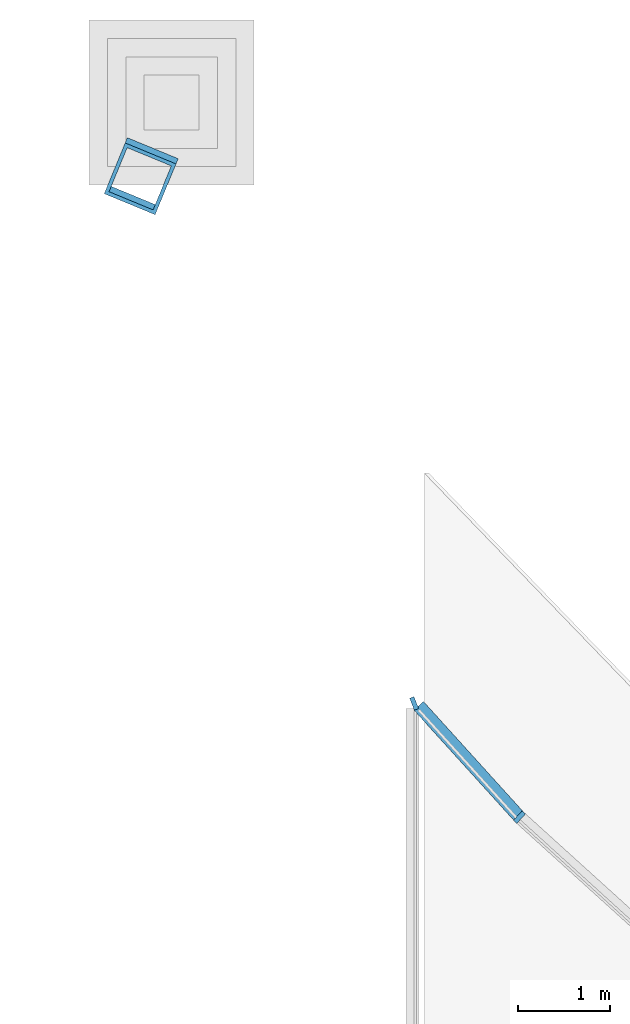
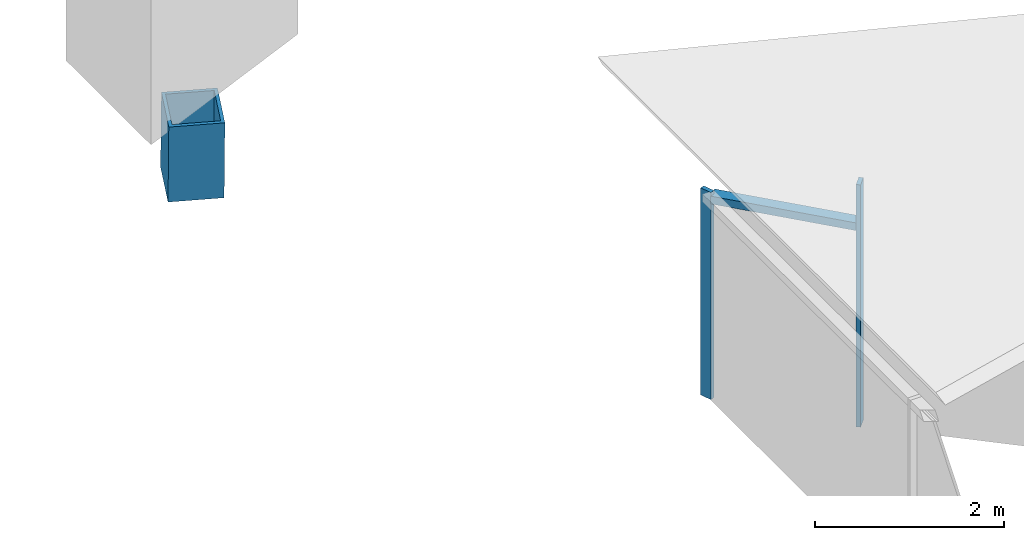
# One storey, part 4 of 8: 4 members, 2 elements without a shape of their own.
"""IFC4 building model written with IfcOpenShell, lengths in metres."""

from ifc_helpers import new_model, si_unit, direction, frame, origin, origin_2d, place, context, subcontext, project, spatial, rectangle, hollow_rectangle, extrude, material, material_profile, profile_set, type_object, element, aggregate, save


model = new_model("IFC4")

# Units and contexts
model_context = context("Model", 3, precision=1e-05, world=origin(), true_north=direction((0.0, 1.0)))
body_context = subcontext(model_context, "Body", "Model", "MODEL_VIEW")
ifc_project = project(units=[si_unit("LENGTHUNIT", "METRE"), si_unit("AREAUNIT", "SQUARE_METRE"), si_unit("VOLUMEUNIT", "CUBIC_METRE"), si_unit("PLANEANGLEUNIT", "RADIAN"), si_unit("MASSUNIT", "GRAM", prefix="KILO")], contexts=[model_context])

# Site, building, storey
site_placement = place(None, origin())
site = spatial("IfcSite", under=ifc_project, at=site_placement, CompositionType="ELEMENT")
building_placement = place(site_placement, origin())
building = spatial("IfcBuilding", under=site, at=building_placement, Name="Ogive Gate Towers", CompositionType="ELEMENT")
storey_placement = place(building_placement, frame((0.0, 0.0, 314.0)))
storey = spatial("IfcBuildingStorey", under=building, at=storey_placement, Name="L74", CompositionType="ELEMENT", Elevation=314.0)

# Curtain wall, member
ifc_material_1 = material(Name="Pale metal aluminium", Category="aluminium")
curtain_wall_type = type_object("IfcCurtainWallType", Name="Crown lean wall", PredefinedType="NOTDEFINED", material=ifc_material_1)
curtain_wall_1_placement = place(storey_placement, origin())
curtain_wall_1 = element("IfcCurtainWall", 1, at=curtain_wall_1_placement, inside=storey, type_object=curtain_wall_type, Name="CW5 T1 ECW01", PredefinedType="NOTDEFINED")
ifc_material_profile_1 = material_profile(ifc_material_1, rectangle(XDim=0.139892578125, YDim=0.050048828125, at=origin_2d()), Name="50 x 140 aluminium box")
ifc_profile_set_1 = profile_set([ifc_material_profile_1], Name="Pale metal aluminium")
member_type_1 = type_object("IfcMemberType", Name="Crown lean wall mullion 50 x 140", PredefinedType="MULLION", material=ifc_profile_set_1)
member_1_placement = place(storey_placement, frame((-24.008544921875, 11.99365234375, -0.300048828125), z_axis=(0.0, 0.0, 1.0), x_axis=(-0.671345548397, -0.741144489724, 0.0)))
member_1 = element("IfcMember", 2, at=member_1_placement, type_object=member_type_1, Name="CW5 mullion", PredefinedType="MULLION", context=body_context, shape_type="SweptSolid", body=[
    extrude(rectangle(XDim=0.139892578125, YDim=0.050048828125, at=origin_2d()), origin(), (0.0, 0.0, 1.0), 3.1357421875),
])
aggregate(curtain_wall_1, [member_1])

# Curtain wall, members
curtain_wall_2_placement = place(storey_placement, origin())
curtain_wall_2 = element("IfcCurtainWall", 3, at=curtain_wall_2_placement, inside=storey, type_object=curtain_wall_type, Name="CW5 T1 ECW02", PredefinedType="NOTDEFINED")
member_2_placement = place(storey_placement, frame((-25.157958984375, 13.234130859375, -0.300048828125), z_axis=(0.0, 0.0, 1.0), x_axis=(0.359785118413, -0.933035191495, 0.0)))
member_2 = element("IfcMember", 4, at=member_2_placement, type_object=member_type_1, Name="CW5 mullion", PredefinedType="MULLION", context=body_context, shape_type="SweptSolid", body=[
    extrude(rectangle(XDim=0.139892578125, YDim=0.050048828125, at=origin_2d()), origin(), (0.0, 0.0, 1.0), 2.679931640625),
])
ifc_material_profile_2 = material_profile(ifc_material_1, rectangle(XDim=0.139892578125, YDim=0.10009765625, at=origin_2d()), Name="100 x 140 aluminium box")
ifc_profile_set_2 = profile_set([ifc_material_profile_2], Name="Pale metal aluminium")
member_type_2 = type_object("IfcMemberType", Name="Crown lean wall transom 100 x 140", PredefinedType="USERDEFINED", material=ifc_profile_set_2)
member_3_placement = place(storey_placement, frame((-25.108154296875, 13.207763671875, 2.28515625), z_axis=(0.671348330899, -0.74114196926, 0.0), x_axis=(0.74114196926, 0.671348330899, 0.0)))
member_3 = element("IfcMember", 5, at=member_3_placement, type_object=member_type_2, Name="CW5 transom", ObjectType="TRANSOM", PredefinedType="USERDEFINED", context=body_context, shape_type="SweptSolid", body=[
    extrude(rectangle(XDim=0.139892578125, YDim=0.10009765625, at=origin_2d()), origin(), (0.0, 0.0, 1.0), 1.6162109375),
])
aggregate(curtain_wall_2, [member_2, member_3])

# Member
ifc_material_2 = material(Name="Steel SM460", Category="steel")
ifc_material_profile_3 = material_profile(ifc_material_2, hollow_rectangle(XDim=0.60009765625, YDim=0.60009765625, WallThickness=0.0400390625, at=origin_2d()), Name="BX 600x600x40")
ifc_profile_set_3 = profile_set([ifc_material_profile_3], Name="Steel SM460")
member_type_3 = type_object("IfcMemberType", Name="Crown rib BX 600x600x40", PredefinedType="MEMBER", material=ifc_profile_set_3)
member_4_placement = place(storey_placement, frame((-28.123779296875, 19.01513671875, 0.0), z_axis=(-0.023335360016, -0.056534119627, 0.998127924813), x_axis=(0.924351915048, -0.381541003232, 0.0)))
element("IfcMember", 6, at=member_4_placement, inside=storey, type_object=member_type_3, Name="T1/L74/STR002", PredefinedType="MEMBER", context=body_context, shape_type="SweptSolid", body=[
    extrude(hollow_rectangle(XDim=0.60009765625, YDim=0.60009765625, WallThickness=0.0400390625, at=origin_2d()), origin(), (0.0, 0.0, 1.0), 1.014892578125),
])

save(model, "model.ifc")
